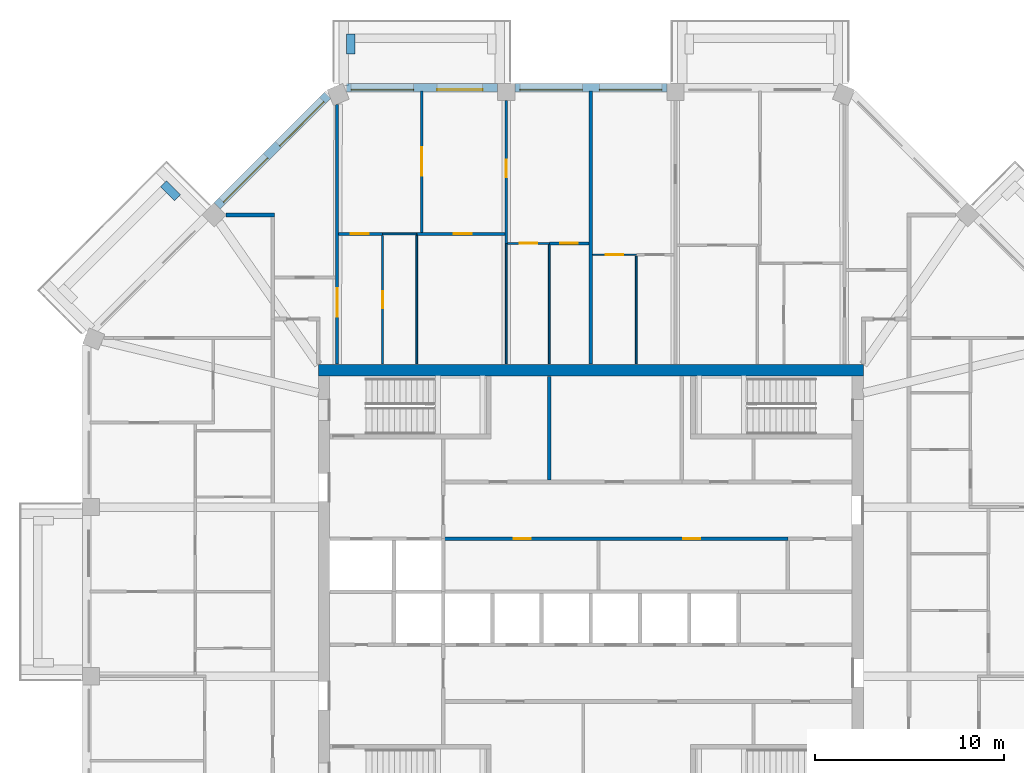
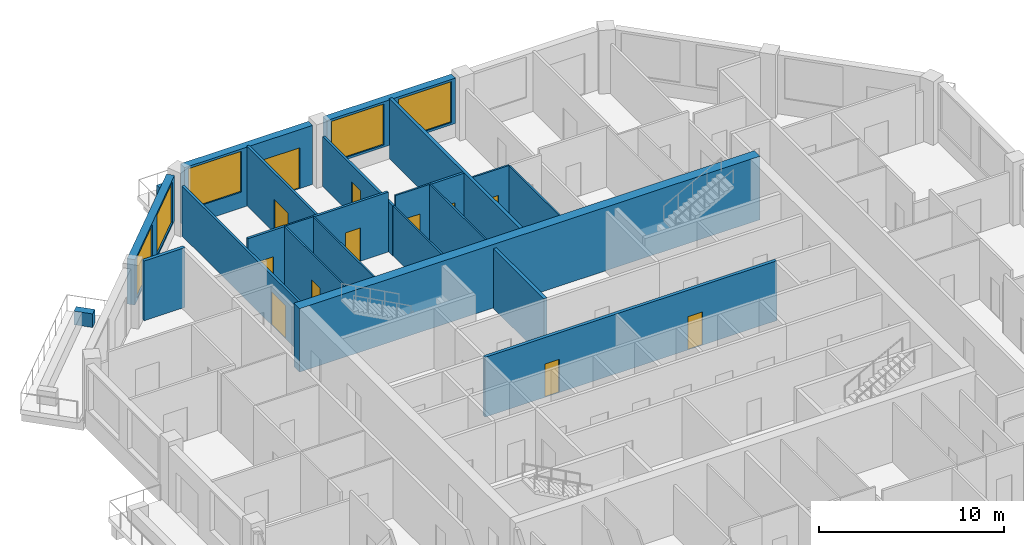
# One storey, part 8 of 13: 24 walls, 12 doors, 5 windows, 17 openings.
"""IFC4 building model written with IfcOpenShell, lengths in metres."""

from ifc_helpers import new_model, si_unit, direction, frame, frame_2d, origin, place, context, subcontext, project, spatial, rectangle, extrude, material, layer, layer_set, type_object, element, fill, save


model = new_model("IFC4")

# Units and contexts
model_context = context("Model", 3, precision=1e-05, world=origin(), true_north=direction((0.0, 1.0)))
body_context = subcontext(model_context, "Body", "Model", "MODEL_VIEW")
ifc_project = project(units=[si_unit("LENGTHUNIT", "METRE"), si_unit("AREAUNIT", "SQUARE_METRE"), si_unit("VOLUMEUNIT", "CUBIC_METRE"), si_unit("PLANEANGLEUNIT", "RADIAN"), si_unit("MASSUNIT", "GRAM", prefix="KILO")], contexts=[model_context])

# Site, building, storey
site_placement = place(None, origin())
site = spatial("IfcSite", under=ifc_project, at=site_placement, CompositionType="ELEMENT")
building_placement = place(site_placement, origin())
building = spatial("IfcBuilding", under=site, at=building_placement, Name="Msitu Wima Residences", CompositionType="ELEMENT")
storey_placement = place(building_placement, frame((0.0, 0.0, 281.10009765625)))
storey = spatial("IfcBuildingStorey", under=building, at=storey_placement, Name="L65", CompositionType="ELEMENT", Elevation=281.10009765625)

# Walls
ifc_material_1 = material(Name="Facing brick")
ifc_layer_1 = layer(ifc_material_1, 0.06494140625, Name="Facing brick")
ifc_material_2 = material(Name="Concrete C40/50", Category="concrete")
ifc_layer_2 = layer(ifc_material_2, 0.156005859375, Name="Concrete C40/50")
ifc_material_3 = material(Name="Waterproofing membrane")
ifc_layer_3 = layer(ifc_material_3, 0.00390625, Name="Waterproofing membrane")
ifc_material_4 = material(Name="Planting soil and planting")
ifc_layer_4 = layer(ifc_material_4, 0.22509765625, Name="Planting soil and planting")
ifc_layer_set_1 = layer_set([ifc_layer_1, ifc_layer_2, ifc_layer_3, ifc_layer_4], Name="Concrete C40/50")
wall_type_1 = type_object("IfcWallType", Name="Balcony planter PLANTER PL450", PredefinedType="USERDEFINED", material=ifc_layer_set_1)
for number, where, z_axis, x_axis, name in (
    (1, (-12.680908203125, 28.39990234375, 0.0), (0.0, 0.0, 1.0), (0.0, 1.0, 0.0), "Balcony planter N2 L65"),
    (2, (-21.829833984375, 20.804443359375, 0.0), (0.0, 0.0, 1.0), (-0.707106781187, 0.707106781187, 0.0), "Balcony planter NW1 L65"),
):
    element("IfcWall", number, at=place(storey_placement, frame(where, z_axis=z_axis, x_axis=x_axis)), inside=storey, type_object=wall_type_1, Name=name, ObjectType="PLANTER", PredefinedType="USERDEFINED", context=body_context, shape_type="SweptSolid", body=[
        extrude(rectangle(XDim=1.050048828125, YDim=0.449951171875, at=frame_2d((0.52490234375, 0.0))), origin(), (0.0, 0.0, 1.0), 0.89990234375),
    ])

# Wall, openings, windows
ifc_material_5 = material(Name="Brick (red buff mix)", Category="masonry")
ifc_layer_5 = layer(ifc_material_5, 0.449951171875)
ifc_layer_set_2 = layer_set([ifc_layer_5], Name="Brick (red buff mix)")
wall_type_2 = type_object("IfcWallType", Name="Brick infill wall BW450", PredefinedType="SOLIDWALL", material=ifc_layer_set_2)
wall_1_placement = place(storey_placement, frame((4.0185546875, 26.625, 0.89990234375), z_axis=(0.0, 0.0, 1.0), x_axis=(-1.0, 0.0, 0.0)))
wall_1 = element("IfcWall", 3, at=wall_1_placement, inside=storey, type_object=wall_type_2, Name="Brick infill wall L65 N1", PredefinedType="SOLIDWALL", context=body_context, shape_type="SweptSolid", body=[
    extrude(rectangle(XDim=8.037109375, YDim=0.449951171875, at=frame_2d((4.0185546875, 0.0))), origin(), (0.0, 0.0, 1.0), 3.0),
])
opening_1_placement = place(wall_1_placement, frame((0.2685546875, 0.0, 0.14990234375)))
opening_1 = element("IfcOpeningElement", 4, at=opening_1_placement, cuts=wall_1, Name="Opening W65-67.007", PredefinedType="OPENING", context=body_context, shape_type="SweptSolid", body=[
    extrude(rectangle(XDim=3.300048828125, YDim=2.699951171875, at=frame_2d((1.64990234375, 1.35009765625))), frame((0.0, 0.23486328125, 0.0), z_axis=(0.0, -1.0, 0.0), x_axis=(1.0, 0.0, 0.0)), (0.0, 0.0, 1.0), 0.469970703125),
])
opening_2_placement = place(wall_1_placement, frame((4.46875, 0.0, 0.14990234375)))
opening_2 = element("IfcOpeningElement", 5, at=opening_2_placement, cuts=wall_1, Name="Opening W65-67.008", PredefinedType="OPENING", context=body_context, shape_type="SweptSolid", body=[
    extrude(rectangle(XDim=3.300048828125, YDim=2.699951171875, at=frame_2d((1.64990234375, 1.35009765625))), frame((0.0, 0.23486328125, 0.0), z_axis=(0.0, -1.0, 0.0), x_axis=(1.0, 0.0, 0.0)), (0.0, 0.0, 1.0), 0.469970703125),
])
ifc_material_6 = material(Name="Anodised aluminium, bronze finish, clear low-emissivity double glazing", Category="aluminium")
window_type = type_object("IfcWindowType", Name="Window W3300x2700", PartitioningType="DOUBLE_PANEL_VERTICAL", PredefinedType="WINDOW", material=ifc_material_6)
window_1_placement = place(opening_1_placement, origin())
window_1 = element("IfcWindow", 6, at=window_1_placement, inside=storey, type_object=window_type, Name="Window L65 N1.1", OverallHeight=2.699951171875, OverallWidth=3.300048828125, PartitioningType="SINGLE_PANEL", PredefinedType="WINDOW", context=body_context, shape_type="SweptSolid", body=[
    extrude(rectangle(XDim=3.300048828125, YDim=2.699951171875, at=frame_2d((1.64990234375, 1.35009765625))), frame((0.0, 0.135009765625, 0.0), z_axis=(0.0, -1.0, 0.0), x_axis=(1.0, 0.0, 0.0)), (0.0, 0.0, 1.0), 0.06005859375),
])
fill(opening_1, window_1)
window_2_placement = place(opening_2_placement, origin())
window_2 = element("IfcWindow", 7, at=window_2_placement, inside=storey, type_object=window_type, Name="Window L65 N1.2", OverallHeight=2.699951171875, OverallWidth=3.300048828125, PartitioningType="SINGLE_PANEL", PredefinedType="WINDOW", context=body_context, shape_type="SweptSolid", body=[
    extrude(rectangle(XDim=3.300048828125, YDim=2.699951171875, at=frame_2d((1.64990234375, 1.35009765625))), frame((0.0, 0.135009765625, 0.0), z_axis=(0.0, -1.0, 0.0), x_axis=(1.0, 0.0, 0.0)), (0.0, 0.0, 1.0), 0.06005859375),
])
fill(opening_2, window_2)

# Wall, openings, door, window
wall_2_placement = place(storey_placement, frame((-4.918701171875, 26.625, 0.0), z_axis=(0.0, 0.0, 1.0), x_axis=(-1.0, 0.0, 0.0)))
wall_2 = element("IfcWall", 8, at=wall_2_placement, inside=storey, type_object=wall_type_2, Name="Brick infill wall L65 N2", PredefinedType="SOLIDWALL", context=body_context, shape_type="SweptSolid", body=[
    extrude(rectangle(XDim=8.0, YDim=0.449951171875, at=frame_2d((4.0, 0.0))), origin(), (0.0, 0.0, 1.0), 3.89990234375),
])
opening_3_placement = place(wall_2_placement, frame((0.800048828125, 0.0, 0.0)))
opening_3 = element("IfcOpeningElement", 9, at=opening_3_placement, cuts=wall_2, Name="Opening D65-67.003", PredefinedType="OPENING", context=body_context, shape_type="SweptSolid", body=[
    extrude(rectangle(XDim=2.39990234375, YDim=2.699951171875, at=frame_2d((1.199951171875, 1.35009765625))), frame((0.0, 0.23486328125, 0.0), z_axis=(0.0, -1.0, 0.0), x_axis=(1.0, 0.0, 0.0)), (0.0, 0.0, 1.0), 0.469970703125),
])
opening_4_placement = place(wall_2_placement, frame((4.4501953125, 0.0, 1.050048828125)))
opening_4 = element("IfcOpeningElement", 10, at=opening_4_placement, cuts=wall_2, Name="Opening W65-67.009", PredefinedType="OPENING", context=body_context, shape_type="SweptSolid", body=[
    extrude(rectangle(XDim=3.300048828125, YDim=2.699951171875, at=frame_2d((1.64990234375, 1.35009765625))), frame((0.0, 0.23486328125, 0.0), z_axis=(0.0, -1.0, 0.0), x_axis=(1.0, 0.0, 0.0)), (0.0, 0.0, 1.0), 0.469970703125),
])
door_type_1 = type_object("IfcDoorType", Name="Balcony door D2400x2700", OperationType="SLIDING_TO_LEFT", PredefinedType="DOOR", material=ifc_material_6)
door_1_placement = place(opening_3_placement, origin())
door_1 = element("IfcDoor", 11, at=door_1_placement, inside=storey, type_object=door_type_1, Name="Balcony door L65 N2", OperationType="SINGLE_SWING_LEFT", OverallHeight=2.699951171875, OverallWidth=2.39990234375, PredefinedType="DOOR", context=body_context, shape_type="SweptSolid", body=[
    extrude(rectangle(XDim=2.39990234375, YDim=2.699951171875, at=frame_2d((1.199951171875, 1.35009765625))), frame((0.0, 0.1298828125, 0.0), z_axis=(0.0, -1.0, 0.0), x_axis=(1.0, 0.0, 0.0)), (0.0, 0.0, 1.0), 0.050048828125),
])
fill(opening_3, door_1)
window_3_placement = place(opening_4_placement, origin())
window_3 = element("IfcWindow", 12, at=window_3_placement, inside=storey, type_object=window_type, Name="Window L65 N2.2", OverallHeight=2.699951171875, OverallWidth=3.300048828125, PartitioningType="SINGLE_PANEL", PredefinedType="WINDOW", context=body_context, shape_type="SweptSolid", body=[
    extrude(rectangle(XDim=3.300048828125, YDim=2.699951171875, at=frame_2d((1.64990234375, 1.35009765625))), frame((0.0, 0.135009765625, 0.0), z_axis=(0.0, -1.0, 0.0), x_axis=(1.0, 0.0, 0.0)), (0.0, 0.0, 1.0), 0.06005859375),
])
fill(opening_4, window_3)

# Wall, openings, windows
wall_3_placement = place(storey_placement, frame((-13.909423828125, 26.214599609375, 0.89990234375), z_axis=(0.0, 0.0, 1.0), x_axis=(-0.707106781187, -0.707106781187, 0.0)))
wall_3 = element("IfcWall", 13, at=wall_3_placement, inside=storey, type_object=wall_type_2, Name="Brick infill wall L65 NW0", PredefinedType="SOLIDWALL", context=body_context, shape_type="SweptSolid", body=[
    extrude(rectangle(XDim=8.251220703125, YDim=0.449951171875, at=frame_2d((4.12548828125, 0.0))), origin(), (0.0, 0.0, 1.0), 3.0),
])
opening_5_placement = place(wall_3_placement, frame((0.37548828125, 0.0, 0.14990234375)))
opening_5 = element("IfcOpeningElement", 14, at=opening_5_placement, cuts=wall_3, Name="Opening W65-67.013", PredefinedType="OPENING", context=body_context, shape_type="SweptSolid", body=[
    extrude(rectangle(XDim=3.300048828125, YDim=2.699951171875, at=frame_2d((1.64990234375, 1.35009765625))), frame((0.0, 0.23486328125, 0.0), z_axis=(0.0, -1.0, 0.0), x_axis=(1.0, 0.0, 0.0)), (0.0, 0.0, 1.0), 0.469970703125),
])
opening_6_placement = place(wall_3_placement, frame((4.57568359375, 0.0, 0.14990234375)))
opening_6 = element("IfcOpeningElement", 15, at=opening_6_placement, cuts=wall_3, Name="Opening W65-67.014", PredefinedType="OPENING", context=body_context, shape_type="SweptSolid", body=[
    extrude(rectangle(XDim=3.300048828125, YDim=2.699951171875, at=frame_2d((1.64990234375, 1.35009765625))), frame((0.0, 0.23486328125, 0.0), z_axis=(0.0, -1.0, 0.0), x_axis=(1.0, 0.0, 0.0)), (0.0, 0.0, 1.0), 0.469970703125),
])
window_4_placement = place(opening_5_placement, origin())
window_4 = element("IfcWindow", 16, at=window_4_placement, inside=storey, type_object=window_type, Name="Window L65 NW0.1", OverallHeight=2.699951171875, OverallWidth=3.300048828125, PartitioningType="SINGLE_PANEL", PredefinedType="WINDOW", context=body_context, shape_type="SweptSolid", body=[
    extrude(rectangle(XDim=3.300048828125, YDim=2.699951171875, at=frame_2d((1.64990234375, 1.35009765625))), frame((0.0, 0.135009765625, 0.0), z_axis=(0.0, -1.0, 0.0), x_axis=(1.0, 0.0, 0.0)), (0.0, 0.0, 1.0), 0.06005859375),
])
fill(opening_5, window_4)
window_5_placement = place(opening_6_placement, origin())
window_5 = element("IfcWindow", 17, at=window_5_placement, inside=storey, type_object=window_type, Name="Window L65 NW0.2", OverallHeight=2.699951171875, OverallWidth=3.300048828125, PartitioningType="SINGLE_PANEL", PredefinedType="WINDOW", context=body_context, shape_type="SweptSolid", body=[
    extrude(rectangle(XDim=3.300048828125, YDim=2.699951171875, at=frame_2d((1.64990234375, 1.35009765625))), frame((0.0, 0.135009765625, 0.0), z_axis=(0.0, -1.0, 0.0), x_axis=(1.0, 0.0, 0.0)), (0.0, 0.0, 1.0), 0.06005859375),
])
fill(opening_6, window_5)

# Wall
ifc_material_7 = material(Name="Concrete C50/60", Category="concrete")
ifc_layer_6 = layer(ifc_material_7, 0.60009765625)
ifc_layer_set_3 = layer_set([ifc_layer_6], Name="Concrete C50/60")
wall_type_3 = type_object("IfcWallType", Name="Core wall CW600 C50/60", PredefinedType="SHEAR", material=ifc_layer_set_3)
wall_4_placement = place(storey_placement, frame((-14.39990234375, 11.699951171875, 0.0), z_axis=(0.0, 0.0, 1.0), x_axis=(1.0, 0.0, 0.0)))
element("IfcWall", 18, at=wall_4_placement, inside=storey, type_object=wall_type_3, Name="Core wall", PredefinedType="SHEAR", context=body_context, shape_type="SweptSolid", body=[
    extrude(rectangle(XDim=28.7998046875, YDim=0.60009765625, at=frame_2d((14.39990234375, 0.0))), origin(), (0.0, 0.0, 1.0), 4.199951171875),
])

# Wall, openings, doors
ifc_material_8 = material(Name="Plaster")
ifc_layer_7 = layer(ifc_material_8, 0.011962890625, Name="Plaster")
ifc_material_9 = material(Name="Concrete blockwork", Category="masonry")
ifc_layer_8 = layer(ifc_material_9, 0.176025390625, Name="Concrete blockwork")
ifc_layer_9 = layer(ifc_material_8, 0.011962890625, Name="Plaster")
ifc_layer_set_4 = layer_set([ifc_layer_7, ifc_layer_8, ifc_layer_9], Name="Concrete blockwork")
wall_type_4 = type_object("IfcWallType", Name="Corridor wall FW200", PredefinedType="PARTITIONING", material=ifc_layer_set_4)
wall_5_placement = place(storey_placement, frame((-7.820068359375, 2.800048828125, 0.0), z_axis=(0.0, 0.0, 1.0), x_axis=(1.0, 0.0, 0.0)))
wall_5 = element("IfcWall", 19, at=wall_5_placement, inside=storey, type_object=wall_type_4, Name="Corridor wall", PredefinedType="PARTITIONING", context=body_context, shape_type="SweptSolid", body=[
    extrude(rectangle(XDim=18.239990234375, YDim=0.199951171875, at=frame_2d((9.1201171875, 0.0))), origin(), (0.0, 0.0, 1.0), 3.949951171875),
])
opening_7_placement = place(wall_5_placement, frame((3.75, 0.0, 0.0)))
opening_7 = element("IfcOpeningElement", 20, at=opening_7_placement, cuts=wall_5, Name="Opening D65-67.088", PredefinedType="OPENING", context=body_context, shape_type="SweptSolid", body=[
    extrude(rectangle(XDim=0.89990234375, YDim=2.199951171875, at=frame_2d((0.449951171875, 1.10009765625))), frame((0.0, 0.10986328125, 0.0), z_axis=(0.0, -1.0, 0.0), x_axis=(1.0, 0.0, 0.0)), (0.0, 0.0, 1.0), 0.219970703125),
])
opening_8_placement = place(wall_5_placement, frame((12.699951171875, 0.0, 0.0)))
opening_8 = element("IfcOpeningElement", 21, at=opening_8_placement, cuts=wall_5, Name="Opening D65-67.089", PredefinedType="OPENING", context=body_context, shape_type="SweptSolid", body=[
    extrude(rectangle(XDim=0.89990234375, YDim=2.199951171875, at=frame_2d((0.449951171875, 1.10009765625))), frame((0.0, 0.10986328125, 0.0), z_axis=(0.0, -1.0, 0.0), x_axis=(1.0, 0.0, 0.0)), (0.0, 0.0, 1.0), 0.219970703125),
])
ifc_material_10 = material(Name="Timber flush door", Category="wood")
door_type_2 = type_object("IfcDoorType", Name="Service door D05 900x2200", OperationType="SINGLE_SWING_LEFT", PredefinedType="DOOR", material=ifc_material_10)
door_2_placement = place(opening_7_placement, origin())
door_2 = element("IfcDoor", 22, at=door_2_placement, inside=storey, type_object=door_type_2, Name="Service door", OperationType="SINGLE_SWING_RIGHT", OverallHeight=2.199951171875, OverallWidth=0.89990234375, PredefinedType="DOOR", context=body_context, shape_type="SweptSolid", body=[
    extrude(rectangle(XDim=0.89990234375, YDim=2.199951171875, at=frame_2d((0.449951171875, 1.10009765625))), frame((0.0, 0.02490234375, 0.0), z_axis=(0.0, -1.0, 0.0), x_axis=(1.0, 0.0, 0.0)), (0.0, 0.0, 1.0), 0.050048828125),
])
fill(opening_7, door_2)
door_3_placement = place(opening_8_placement, origin())
door_3 = element("IfcDoor", 23, at=door_3_placement, inside=storey, type_object=door_type_2, Name="Service door", OperationType="SINGLE_SWING_LEFT", OverallHeight=2.199951171875, OverallWidth=0.89990234375, PredefinedType="DOOR", context=body_context, shape_type="SweptSolid", body=[
    extrude(rectangle(XDim=0.89990234375, YDim=2.199951171875, at=frame_2d((0.449951171875, 1.10009765625))), frame((0.0, 0.02490234375, 0.0), z_axis=(0.0, -1.0, 0.0), x_axis=(1.0, 0.0, 0.0)), (0.0, 0.0, 1.0), 0.050048828125),
])
fill(opening_8, door_3)

# Wall, opening, door
ifc_layer_10 = layer(ifc_material_8, 0.011962890625, Name="Plaster")
ifc_layer_11 = layer(ifc_material_9, 0.1259765625, Name="Concrete blockwork")
ifc_layer_12 = layer(ifc_material_8, 0.011962890625, Name="Plaster")
ifc_layer_set_5 = layer_set([ifc_layer_10, ifc_layer_11, ifc_layer_12], Name="Concrete blockwork")
wall_type_5 = type_object("IfcWallType", Name="Partition PW150", PredefinedType="PARTITIONING", material=ifc_layer_set_5)
wall_6_placement = place(storey_placement, frame((-13.406005859375, 12.030029296875, 0.0), z_axis=(0.0, 0.0, 1.0), x_axis=(0.0, 1.0, 0.0)))
wall_6 = element("IfcWall", 24, at=wall_6_placement, inside=storey, type_object=wall_type_5, Name="Partition", PredefinedType="PARTITIONING", context=body_context, shape_type="SweptSolid", body=[
    extrude(rectangle(XDim=13.701171875, YDim=0.14990234375, at=frame_2d((6.8505859375, 0.0))), origin(), (0.0, 0.0, 1.0), 3.2998046875),
])
opening_9_placement = place(wall_6_placement, frame((2.5, 0.0, 0.0)))
opening_9 = element("IfcOpeningElement", 25, at=opening_9_placement, cuts=wall_6, Name="Opening D65-67.033", PredefinedType="OPENING", context=body_context, shape_type="SweptSolid", body=[
    extrude(rectangle(XDim=1.5, YDim=2.199951171875, at=frame_2d((0.75, 1.10009765625))), frame((0.0, 0.0849609375, 0.0), z_axis=(0.0, -1.0, 0.0), x_axis=(1.0, 0.0, 0.0)), (0.0, 0.0, 1.0), 0.169921875),
])
ifc_material_11 = material(Name="Timber double door", Category="wood")
door_type_3 = type_object("IfcDoorType", Name="Double door D04 1500x2200", OperationType="DOUBLE_DOOR_SINGLE_SWING", PredefinedType="DOOR", material=ifc_material_11)
door_4_placement = place(opening_9_placement, origin())
door_4 = element("IfcDoor", 26, at=door_4_placement, inside=storey, type_object=door_type_3, Name="Double door", OperationType="DOUBLE_DOOR_SINGLE_SWING", OverallHeight=2.199951171875, OverallWidth=1.5, PredefinedType="DOOR", context=body_context, shape_type="SweptSolid", body=[
    extrude(rectangle(XDim=1.5, YDim=2.199951171875, at=frame_2d((0.75, 1.10009765625))), frame((0.0, 0.02490234375, 0.0), z_axis=(0.0, -1.0, 0.0), x_axis=(1.0, 0.0, 0.0)), (0.0, 0.0, 1.0), 0.050048828125),
])
fill(opening_9, door_4)

wall_7_placement = place(storey_placement, frame((-13.330810546875, 18.89990234375, 0.0), z_axis=(0.0, 0.0, 1.0), x_axis=(1.0, 0.0, 0.0)))
wall_7 = element("IfcWall", 27, at=wall_7_placement, inside=storey, type_object=wall_type_5, Name="Partition", PredefinedType="PARTITIONING", context=body_context, shape_type="SweptSolid", body=[
    extrude(rectangle(XDim=2.330810546875, YDim=0.14990234375, at=frame_2d((1.16552734375, 0.0))), origin(), (0.0, 0.0, 1.0), 3.949951171875),
])
opening_10_placement = place(wall_7_placement, frame((0.64990234375, 0.0, 0.0)))
opening_10 = element("IfcOpeningElement", 28, at=opening_10_placement, cuts=wall_7, Name="Opening D65-67.034", PredefinedType="OPENING", context=body_context, shape_type="SweptSolid", body=[
    extrude(rectangle(XDim=0.949951171875, YDim=2.199951171875, at=frame_2d((0.47509765625, 1.10009765625))), frame((0.0, 0.0849609375, 0.0), z_axis=(0.0, -1.0, 0.0), x_axis=(1.0, 0.0, 0.0)), (0.0, 0.0, 1.0), 0.169921875),
])
door_type_4 = type_object("IfcDoorType", Name="Room door D12 950x2200", OperationType="SINGLE_SWING_LEFT", PredefinedType="DOOR", material=ifc_material_10)
door_5_placement = place(opening_10_placement, origin())
door_5 = element("IfcDoor", 29, at=door_5_placement, inside=storey, type_object=door_type_4, Name="Room door", OperationType="SINGLE_SWING_LEFT", OverallHeight=2.199951171875, OverallWidth=0.949951171875, PredefinedType="DOOR", context=body_context, shape_type="SweptSolid", body=[
    extrude(rectangle(XDim=0.949951171875, YDim=2.199951171875, at=frame_2d((0.47509765625, 1.10009765625))), frame((0.0, 0.02490234375, 0.0), z_axis=(0.0, -1.0, 0.0), x_axis=(1.0, 0.0, 0.0)), (0.0, 0.0, 1.0), 0.050048828125),
])
fill(opening_10, door_5)

wall_8_placement = place(storey_placement, frame((-9.199951171875, 18.89990234375, 0.0), z_axis=(0.0, 0.0, 1.0), x_axis=(1.0, 0.0, 0.0)))
wall_8 = element("IfcWall", 30, at=wall_8_placement, inside=storey, type_object=wall_type_5, Name="Partition", PredefinedType="PARTITIONING", context=body_context, shape_type="SweptSolid", body=[
    extrude(rectangle(XDim=4.65625, YDim=0.14990234375, at=frame_2d((2.328125, 0.0))), origin(), (0.0, 0.0, 1.0), 3.949951171875),
])
opening_11_placement = place(wall_8_placement, frame((1.949951171875, 0.0, 0.0)))
opening_11 = element("IfcOpeningElement", 31, at=opening_11_placement, cuts=wall_8, Name="Opening D65-67.038", PredefinedType="OPENING", context=body_context, shape_type="SweptSolid", body=[
    extrude(rectangle(XDim=0.949951171875, YDim=2.199951171875, at=frame_2d((0.47509765625, 1.10009765625))), frame((0.0, 0.0849609375, 0.0), z_axis=(0.0, -1.0, 0.0), x_axis=(1.0, 0.0, 0.0)), (0.0, 0.0, 1.0), 0.169921875),
])
door_6_placement = place(opening_11_placement, origin())
door_6 = element("IfcDoor", 32, at=door_6_placement, inside=storey, type_object=door_type_4, Name="Room door", OperationType="SINGLE_SWING_LEFT", OverallHeight=2.199951171875, OverallWidth=0.949951171875, PredefinedType="DOOR", context=body_context, shape_type="SweptSolid", body=[
    extrude(rectangle(XDim=0.949951171875, YDim=2.199951171875, at=frame_2d((0.47509765625, 1.10009765625))), frame((0.0, 0.02490234375, 0.0), z_axis=(0.0, -1.0, 0.0), x_axis=(1.0, 0.0, 0.0)), (0.0, 0.0, 1.0), 0.050048828125),
])
fill(opening_11, door_6)

wall_9_placement = place(storey_placement, frame((-8.937255859375, 18.97509765625, 0.0), z_axis=(0.0, 0.0, 1.0), x_axis=(0.0, 1.0, 0.0)))
wall_9 = element("IfcWall", 33, at=wall_9_placement, inside=storey, type_object=wall_type_5, Name="Partition", PredefinedType="PARTITIONING", context=body_context, shape_type="SweptSolid", body=[
    extrude(rectangle(XDim=7.47998046875, YDim=0.14990234375, at=frame_2d((3.739990234375, 0.0))), origin(), (0.0, 0.0, 1.0), 3.949951171875),
])
opening_12_placement = place(wall_9_placement, frame((3.0, 0.0, 0.0)))
opening_12 = element("IfcOpeningElement", 34, at=opening_12_placement, cuts=wall_9, Name="Opening D65-67.037", PredefinedType="OPENING", context=body_context, shape_type="SweptSolid", body=[
    extrude(rectangle(XDim=1.5, YDim=2.199951171875, at=frame_2d((0.75, 1.10009765625))), frame((0.0, 0.0849609375, 0.0), z_axis=(0.0, -1.0, 0.0), x_axis=(1.0, 0.0, 0.0)), (0.0, 0.0, 1.0), 0.169921875),
])
door_7_placement = place(opening_12_placement, origin())
door_7 = element("IfcDoor", 35, at=door_7_placement, inside=storey, type_object=door_type_3, Name="Double door", OperationType="DOUBLE_DOOR_SINGLE_SWING", OverallHeight=2.199951171875, OverallWidth=1.5, PredefinedType="DOOR", context=body_context, shape_type="SweptSolid", body=[
    extrude(rectangle(XDim=1.5, YDim=2.199951171875, at=frame_2d((0.75, 1.10009765625))), frame((0.0, 0.02490234375, 0.0), z_axis=(0.0, -1.0, 0.0), x_axis=(1.0, 0.0, 0.0)), (0.0, 0.0, 1.0), 0.050048828125),
])
fill(opening_12, door_7)

wall_10_placement = place(storey_placement, frame((-4.46875, 18.3798828125, 0.0), z_axis=(0.0, 0.0, 1.0), x_axis=(0.0, 1.0, 0.0)))
wall_10 = element("IfcWall", 36, at=wall_10_placement, inside=storey, type_object=wall_type_5, Name="Partition", PredefinedType="PARTITIONING", context=body_context, shape_type="SweptSolid", body=[
    extrude(rectangle(XDim=7.570068359375, YDim=0.14990234375, at=frame_2d((3.78515625, 0.0))), origin(), (0.0, 0.0, 1.0), 3.2998046875),
])
opening_13_placement = place(wall_10_placement, frame((3.5, 0.0, 0.0)))
opening_13 = element("IfcOpeningElement", 37, at=opening_13_placement, cuts=wall_10, Name="Opening D65-67.039", PredefinedType="OPENING", context=body_context, shape_type="SweptSolid", body=[
    extrude(rectangle(XDim=0.949951171875, YDim=2.199951171875, at=frame_2d((0.47509765625, 1.10009765625))), frame((0.0, 0.0849609375, 0.0), z_axis=(0.0, -1.0, 0.0), x_axis=(1.0, 0.0, 0.0)), (0.0, 0.0, 1.0), 0.169921875),
])
door_8_placement = place(opening_13_placement, origin())
door_8 = element("IfcDoor", 38, at=door_8_placement, inside=storey, type_object=door_type_4, Name="Room door", OperationType="SINGLE_SWING_LEFT", OverallHeight=2.199951171875, OverallWidth=0.949951171875, PredefinedType="DOOR", context=body_context, shape_type="SweptSolid", body=[
    extrude(rectangle(XDim=0.949951171875, YDim=2.199951171875, at=frame_2d((0.47509765625, 1.10009765625))), frame((0.0, 0.02490234375, 0.0), z_axis=(0.0, -1.0, 0.0), x_axis=(1.0, 0.0, 0.0)), (0.0, 0.0, 1.0), 0.050048828125),
])
fill(opening_13, door_8)

wall_11_placement = place(storey_placement, frame((-2.179931640625, 18.39990234375, 0.0), z_axis=(0.0, 0.0, 1.0), x_axis=(1.0, 0.0, 0.0)))
wall_11 = element("IfcWall", 39, at=wall_11_placement, inside=storey, type_object=wall_type_5, Name="Partition", PredefinedType="PARTITIONING", context=body_context, shape_type="SweptSolid", body=[
    extrude(rectangle(XDim=2.079833984375, YDim=0.14990234375, at=frame_2d((1.0400390625, 0.0))), origin(), (0.0, 0.0, 1.0), 3.949951171875),
])
opening_14_placement = place(wall_11_placement, frame((0.550048828125, 0.0, 0.0)))
opening_14 = element("IfcOpeningElement", 40, at=opening_14_placement, cuts=wall_11, Name="Opening D65-67.040", PredefinedType="OPENING", context=body_context, shape_type="SweptSolid", body=[
    extrude(rectangle(XDim=0.949951171875, YDim=2.199951171875, at=frame_2d((0.47509765625, 1.10009765625))), frame((0.0, 0.0849609375, 0.0), z_axis=(0.0, -1.0, 0.0), x_axis=(1.0, 0.0, 0.0)), (0.0, 0.0, 1.0), 0.169921875),
])
door_9_placement = place(opening_14_placement, origin())
door_9 = element("IfcDoor", 41, at=door_9_placement, inside=storey, type_object=door_type_4, Name="Room door", OperationType="SINGLE_SWING_RIGHT", OverallHeight=2.199951171875, OverallWidth=0.949951171875, PredefinedType="DOOR", context=body_context, shape_type="SweptSolid", body=[
    extrude(rectangle(XDim=0.949951171875, YDim=2.199951171875, at=frame_2d((0.47509765625, 1.10009765625))), frame((0.0, 0.02490234375, 0.0), z_axis=(0.0, -1.0, 0.0), x_axis=(1.0, 0.0, 0.0)), (0.0, 0.0, 1.0), 0.050048828125),
])
fill(opening_14, door_9)

# Walls
ifc_layer_13 = layer(ifc_material_8, 0.011962890625, Name="Plaster")
ifc_material_12 = material(Name="Dense concrete blockwork", Category="masonry")
ifc_layer_14 = layer(ifc_material_12, 0.176025390625, Name="Dense concrete blockwork")
ifc_layer_15 = layer(ifc_material_8, 0.011962890625, Name="Plaster")
ifc_layer_set_6 = layer_set([ifc_layer_13, ifc_layer_14, ifc_layer_15], Name="Dense concrete blockwork")
wall_type_6 = type_object("IfcWallType", Name="Party wall PW200", PredefinedType="PARTITIONING", material=ifc_layer_set_6)
wall_12_placement = place(storey_placement, frame((-19.2666015625, 19.90283203125, 0.0), z_axis=(0.0, 0.0, 1.0), x_axis=(1.0, 0.0, 0.0)))
element("IfcWall", 42, at=wall_12_placement, inside=storey, type_object=wall_type_6, Name="Party wall", PredefinedType="PARTITIONING", context=body_context, shape_type="SweptSolid", body=[
    extrude(rectangle(XDim=2.566650390625, YDim=0.199951171875, at=frame_2d((1.283203125, 0.0))), origin(), (0.0, 0.0, 1.0), 3.949951171875),
])
wall_13_placement = place(storey_placement, frame((0.0, 12.030029296875, 0.0), z_axis=(0.0, 0.0, 1.0), x_axis=(0.0, 1.0, 0.0)))
element("IfcWall", 43, at=wall_13_placement, inside=storey, type_object=wall_type_6, Name="Party wall", PredefinedType="PARTITIONING", context=body_context, shape_type="SweptSolid", body=[
    extrude(rectangle(XDim=14.425048828125, YDim=0.199951171875, at=frame_2d((7.21240234375, 0.0))), origin(), (0.0, 0.0, 1.0), 3.949951171875),
])
ifc_layer_16 = layer(ifc_material_8, 0.011962890625, Name="Plaster")
ifc_material_13 = material(Name="Reinforced concrete blockwork", Category="masonry")
ifc_layer_17 = layer(ifc_material_13, 0.176025390625, Name="Reinforced concrete blockwork")
ifc_layer_18 = layer(ifc_material_8, 0.011962890625, Name="Plaster")
ifc_layer_set_7 = layer_set([ifc_layer_16, ifc_layer_17, ifc_layer_18], Name="Reinforced concrete blockwork")
wall_type_7 = type_object("IfcWallType", Name="Plant and riser wall PL200", PredefinedType="PARTITIONING", material=ifc_layer_set_7)
wall_14_placement = place(storey_placement, frame((-2.199951171875, 5.89990234375, 0.0), z_axis=(0.0, 0.0, 1.0), x_axis=(0.0, 1.0, 0.0)))
element("IfcWall", 44, at=wall_14_placement, inside=storey, type_object=wall_type_7, Name="Plant and riser wall", PredefinedType="PARTITIONING", context=body_context, shape_type="SweptSolid", body=[
    extrude(rectangle(XDim=5.47021484375, YDim=0.199951171875, at=frame_2d((2.735107421875, 0.0))), origin(), (0.0, 0.0, 1.0), 3.949951171875),
])

# Wall, opening, door
ifc_material_14 = material(Name="Ceramic tiles")
ifc_layer_19 = layer(ifc_material_14, 0.008056640625, Name="Ceramic tiles")
ifc_material_15 = material(Name="Moisture-resistant board")
ifc_layer_20 = layer(ifc_material_15, 0.012451171875, Name="Moisture-resistant board")
ifc_material_16 = material(Name="Light-gauge stud framing with mineral wool")
ifc_layer_21 = layer(ifc_material_16, 0.06689453125, Name="Light-gauge stud framing with mineral wool")
ifc_layer_22 = layer(ifc_material_15, 0.012451171875, Name="Moisture-resistant board")
ifc_layer_set_8 = layer_set([ifc_layer_19, ifc_layer_20, ifc_layer_21, ifc_layer_22], Name="Light-gauge stud framing with mineral wool")
wall_type_8 = type_object("IfcWallType", Name="Wet wall PW100", PredefinedType="PARTITIONING", material=ifc_layer_set_8)
wall_15_placement = place(storey_placement, frame((-11.0, 12.030029296875, 0.0), z_axis=(0.0, 0.0, 1.0), x_axis=(0.0, 1.0, 0.0)))
wall_15 = element("IfcWall", 45, at=wall_15_placement, inside=storey, type_object=wall_type_8, Name="Wet wall", PredefinedType="PARTITIONING", context=body_context, shape_type="SweptSolid", body=[
    extrude(rectangle(XDim=6.794921875, YDim=0.10009765625, at=frame_2d((3.3974609375, 0.0))), origin(), (0.0, 0.0, 1.0), 3.949951171875),
])
opening_15_placement = place(wall_15_placement, frame((2.949951171875, 0.0, 0.0)))
opening_15 = element("IfcOpeningElement", 46, at=opening_15_placement, cuts=wall_15, Name="Opening D65-67.036", PredefinedType="OPENING", context=body_context, shape_type="SweptSolid", body=[
    extrude(rectangle(XDim=0.89990234375, YDim=2.199951171875, at=frame_2d((0.449951171875, 1.10009765625))), frame((0.0, 0.06005859375, 0.0), z_axis=(0.0, -1.0, 0.0), x_axis=(1.0, 0.0, 0.0)), (0.0, 0.0, 1.0), 0.1201171875),
])
ifc_material_17 = material(Name="Timber flush door, moisture resistant", Category="wood")
door_type_5 = type_object("IfcDoorType", Name="Bathroom door D03 900x2200", OperationType="SINGLE_SWING_LEFT", PredefinedType="DOOR", material=ifc_material_17)
door_10_placement = place(opening_15_placement, origin())
door_10 = element("IfcDoor", 47, at=door_10_placement, inside=storey, type_object=door_type_5, Name="Bathroom door", OperationType="SINGLE_SWING_LEFT", OverallHeight=2.199951171875, OverallWidth=0.89990234375, PredefinedType="DOOR", context=body_context, shape_type="SweptSolid", body=[
    extrude(rectangle(XDim=0.89990234375, YDim=2.199951171875, at=frame_2d((0.449951171875, 1.10009765625))), frame((0.0, 0.02490234375, 0.0), z_axis=(0.0, -1.0, 0.0), x_axis=(1.0, 0.0, 0.0)), (0.0, 0.0, 1.0), 0.050048828125),
])
fill(opening_15, door_10)

# Walls
wall_16_placement = place(storey_placement, frame((-11.0, 18.89990234375, 0.0), z_axis=(0.0, 0.0, 1.0), x_axis=(1.0, 0.0, 0.0)))
element("IfcWall", 48, at=wall_16_placement, inside=storey, type_object=wall_type_8, Name="Wet wall", PredefinedType="PARTITIONING", context=body_context, shape_type="SweptSolid", body=[
    extrude(rectangle(XDim=1.800048828125, YDim=0.10009765625, at=frame_2d((0.89990234375, 0.0))), origin(), (0.0, 0.0, 1.0), 3.949951171875),
])
wall_17_placement = place(storey_placement, frame((-9.199951171875, 12.030029296875, 0.0), z_axis=(0.0, 0.0, 1.0), x_axis=(0.0, 1.0, 0.0)))
element("IfcWall", 49, at=wall_17_placement, inside=storey, type_object=wall_type_8, Name="Wet wall", PredefinedType="PARTITIONING", context=body_context, shape_type="SweptSolid", body=[
    extrude(rectangle(XDim=6.794921875, YDim=0.10009765625, at=frame_2d((3.3974609375, 0.0))), origin(), (0.0, 0.0, 1.0), 3.949951171875),
])
wall_18_placement = place(storey_placement, frame((-4.46875, 12.030029296875, 0.0), z_axis=(0.0, 0.0, 1.0), x_axis=(0.0, 1.0, 0.0)))
element("IfcWall", 50, at=wall_18_placement, inside=storey, type_object=wall_type_8, Name="Wet wall", PredefinedType="PARTITIONING", context=body_context, shape_type="SweptSolid", body=[
    extrude(rectangle(XDim=6.349853515625, YDim=0.10009765625, at=frame_2d((3.1748046875, 0.0))), origin(), (0.0, 0.0, 1.0), 3.2998046875),
])

# Wall, opening, door
wall_19_placement = place(storey_placement, frame((-4.3935546875, 18.39990234375, 0.0), z_axis=(0.0, 0.0, 1.0), x_axis=(1.0, 0.0, 0.0)))
wall_19 = element("IfcWall", 51, at=wall_19_placement, inside=storey, type_object=wall_type_8, Name="Wet wall", PredefinedType="PARTITIONING", context=body_context, shape_type="SweptSolid", body=[
    extrude(rectangle(XDim=2.213623046875, YDim=0.10009765625, at=frame_2d((1.10693359375, 0.0))), origin(), (0.0, 0.0, 1.0), 3.949951171875),
])
opening_16_placement = place(wall_19_placement, frame((0.64990234375, 0.0, 0.0)))
opening_16 = element("IfcOpeningElement", 52, at=opening_16_placement, cuts=wall_19, Name="Opening D65-67.041", PredefinedType="OPENING", context=body_context, shape_type="SweptSolid", body=[
    extrude(rectangle(XDim=0.89990234375, YDim=2.199951171875, at=frame_2d((0.449951171875, 1.10009765625))), frame((0.0, 0.06005859375, 0.0), z_axis=(0.0, -1.0, 0.0), x_axis=(1.0, 0.0, 0.0)), (0.0, 0.0, 1.0), 0.1201171875),
])
door_11_placement = place(opening_16_placement, origin())
door_11 = element("IfcDoor", 53, at=door_11_placement, inside=storey, type_object=door_type_5, Name="Bathroom door", OperationType="SINGLE_SWING_LEFT", OverallHeight=2.199951171875, OverallWidth=0.89990234375, PredefinedType="DOOR", context=body_context, shape_type="SweptSolid", body=[
    extrude(rectangle(XDim=0.89990234375, YDim=2.199951171875, at=frame_2d((0.449951171875, 1.10009765625))), frame((0.0, 0.02490234375, 0.0), z_axis=(0.0, -1.0, 0.0), x_axis=(1.0, 0.0, 0.0)), (0.0, 0.0, 1.0), 0.050048828125),
])
fill(opening_16, door_11)

# Wall
wall_20_placement = place(storey_placement, frame((-2.199951171875, 12.030029296875, 0.0), z_axis=(0.0, 0.0, 1.0), x_axis=(0.0, 1.0, 0.0)))
element("IfcWall", 54, at=wall_20_placement, inside=storey, type_object=wall_type_8, Name="Wet wall", PredefinedType="PARTITIONING", context=body_context, shape_type="SweptSolid", body=[
    extrude(rectangle(XDim=6.320068359375, YDim=0.10009765625, at=frame_2d((3.16015625, 0.0))), origin(), (0.0, 0.0, 1.0), 3.949951171875),
])

# Wall, opening, door
wall_21_placement = place(storey_placement, frame((0.10009765625, 17.800048828125, 0.0), z_axis=(0.0, 0.0, 1.0), x_axis=(1.0, 0.0, 0.0)))
wall_21 = element("IfcWall", 55, at=wall_21_placement, inside=storey, type_object=wall_type_8, Name="Wet wall", PredefinedType="PARTITIONING", context=body_context, shape_type="SweptSolid", body=[
    extrude(rectangle(XDim=2.2998046875, YDim=0.10009765625, at=frame_2d((1.14990234375, 0.0))), origin(), (0.0, 0.0, 1.0), 3.949951171875),
])
opening_17_placement = place(wall_21_placement, frame((0.699951171875, 0.0, 0.0)))
opening_17 = element("IfcOpeningElement", 56, at=opening_17_placement, cuts=wall_21, Name="Opening D65-67.030", PredefinedType="OPENING", context=body_context, shape_type="SweptSolid", body=[
    extrude(rectangle(XDim=0.89990234375, YDim=2.199951171875, at=frame_2d((0.449951171875, 1.10009765625))), frame((0.0, 0.06005859375, 0.0), z_axis=(0.0, -1.0, 0.0), x_axis=(1.0, 0.0, 0.0)), (0.0, 0.0, 1.0), 0.1201171875),
])
door_12_placement = place(opening_17_placement, origin())
door_12 = element("IfcDoor", 57, at=door_12_placement, inside=storey, type_object=door_type_5, Name="Bathroom door", OperationType="SINGLE_SWING_LEFT", OverallHeight=2.199951171875, OverallWidth=0.89990234375, PredefinedType="DOOR", context=body_context, shape_type="SweptSolid", body=[
    extrude(rectangle(XDim=0.89990234375, YDim=2.199951171875, at=frame_2d((0.449951171875, 1.10009765625))), frame((0.0, 0.02490234375, 0.0), z_axis=(0.0, -1.0, 0.0), x_axis=(1.0, 0.0, 0.0)), (0.0, 0.0, 1.0), 0.050048828125),
])
fill(opening_17, door_12)

# Wall
wall_22_placement = place(storey_placement, frame((2.39990234375, 12.030029296875, 0.0), z_axis=(0.0, 0.0, 1.0), x_axis=(0.0, 1.0, 0.0)))
element("IfcWall", 58, at=wall_22_placement, inside=storey, type_object=wall_type_8, Name="Wet wall", PredefinedType="PARTITIONING", context=body_context, shape_type="SweptSolid", body=[
    extrude(rectangle(XDim=5.695068359375, YDim=0.10009765625, at=frame_2d((2.84765625, 0.0))), origin(), (0.0, 0.0, 1.0), 3.949951171875),
])

save(model, "model.ifc")
